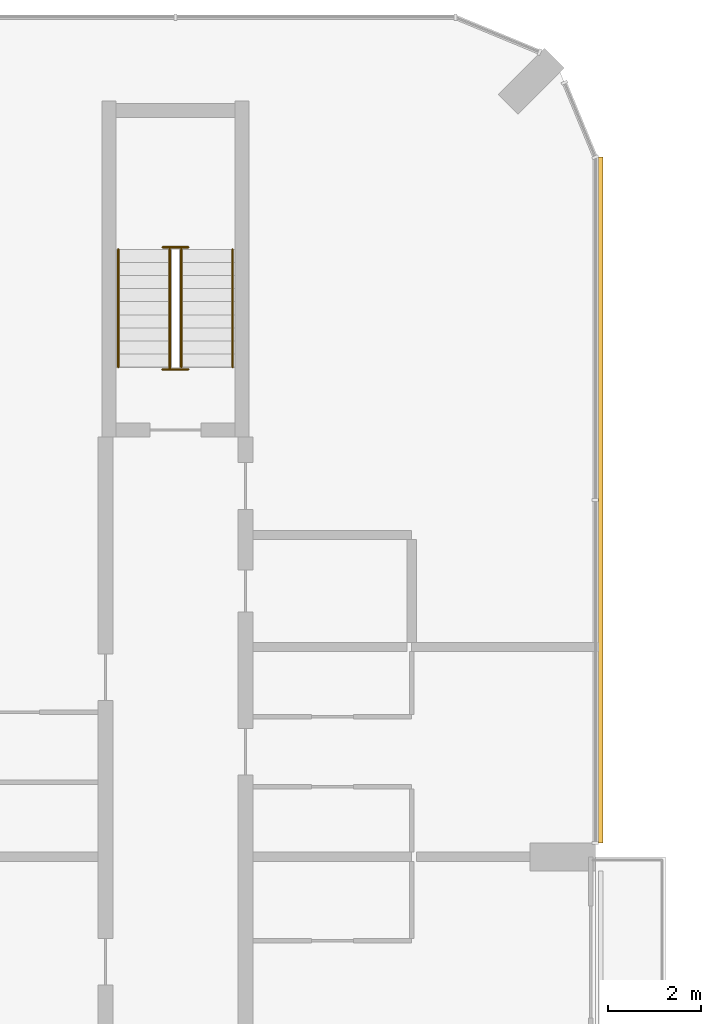
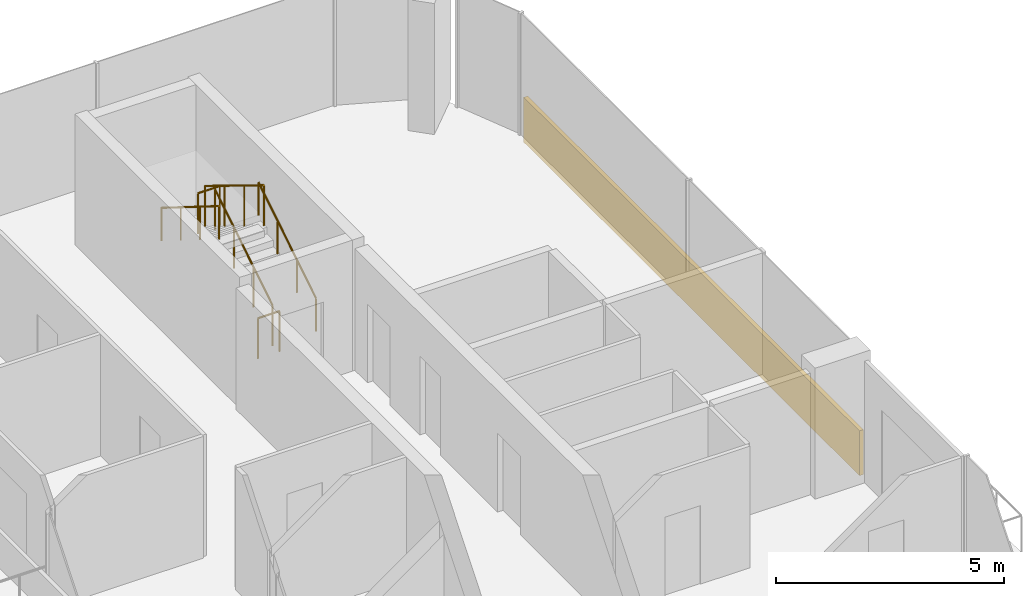
# One storey, part 26 of 27: 6 railings, 1 covering.
"""IFC4 building model written with IfcOpenShell, lengths in metres."""

from ifc_helpers import new_model, si_unit, direction, frame, origin, origin_2d, place, context, subcontext, project, spatial, rectangle, circle, extrude, material, layer, layer_set, type_object, element, save


model = new_model("IFC4")

# Units and contexts
model_context = context("Model", 3, precision=1e-05, world=origin(), true_north=direction((0.0, 1.0)))
body_context = subcontext(model_context, "Body", "Model", "MODEL_VIEW")
ifc_project = project(units=[si_unit("LENGTHUNIT", "METRE"), si_unit("AREAUNIT", "SQUARE_METRE"), si_unit("VOLUMEUNIT", "CUBIC_METRE"), si_unit("PLANEANGLEUNIT", "RADIAN"), si_unit("MASSUNIT", "GRAM", prefix="KILO")], contexts=[model_context])

# Site, building, storey
site_placement = place(None, origin())
site = spatial("IfcSite", under=ifc_project, at=site_placement, CompositionType="ELEMENT")
building_placement = place(site_placement, origin())
building = spatial("IfcBuilding", under=site, at=building_placement, Name="Plateau Cross Towers", CompositionType="ELEMENT")
storey_placement = place(building_placement, frame((0.0, 0.0, 78.300048828125)))
storey = spatial("IfcBuildingStorey", under=building, at=storey_placement, Name="L19", CompositionType="ELEMENT", Elevation=78.300048828125)

# Railings
ifc_material_1 = material(Name="Stainless steel and toughened glass", Category="steel")
railing_type_1 = type_object("IfcRailingType", Name="RL-GUARD-1100", PredefinedType="GUARDRAIL", material=ifc_material_1)
railing_1_placement = place(storey_placement, frame((9.125, 46.5, 0.175048828125)))
element("IfcRailing", 1, at=railing_1_placement, inside=storey, type_object=railing_type_1, Name="L19 ES-N stair guard 1", PredefinedType="GUARDRAIL", context=body_context, shape_type="SweptSolid", body=[
    extrude(circle(Radius=0.02392578125, at=origin_2d()), frame((0.0, 0.0, 1.076171875), z_axis=(0.0, 0.848007534815, 0.529984170421), x_axis=(-1.0, 0.0, 0.0)), (0.0, 0.0, 1.0), 2.9716796875),
    extrude(circle(Radius=0.02099609375, at=origin_2d()), origin(), (0.0, 0.0, 1.0), 1.052001953125),
    extrude(circle(Radius=0.02099609375, at=origin_2d()), frame((0.0, 0.840087890625, 0.52490234375)), (0.0, 0.0, 1.0), 1.052001953125),
    extrude(circle(Radius=0.02099609375, at=origin_2d()), frame((0.0, 1.679931640625, 1.050048828125)), (0.0, 0.0, 1.0), 1.052001953125),
    extrude(circle(Radius=0.02099609375, at=origin_2d()), frame((0.0, 2.52001953125, 1.574951171875)), (0.0, 0.0, 1.0), 1.052001953125),
])
railing_2_placement = place(storey_placement, frame((9.27490234375, 49.070068359375, 1.75)))
element("IfcRailing", 2, at=railing_2_placement, inside=storey, type_object=railing_type_1, Name="L19 ES-N stair guard 2", PredefinedType="GUARDRAIL", context=body_context, shape_type="SweptSolid", body=[
    extrude(circle(Radius=0.02392578125, at=origin_2d()), frame((0.0, 0.0, 1.076171875), z_axis=(-1.0, 0.0, 0.0), x_axis=(0.0, -1.0, 0.0)), (0.0, 0.0, 1.0), 0.5498046875),
    extrude(circle(Radius=0.02099609375, at=origin_2d()), origin(), (0.0, 0.0, 1.0), 1.052001953125),
    extrude(circle(Radius=0.02099609375, at=origin_2d()), frame((-0.5498046875, 0.0, 0.0)), (0.0, 0.0, 1.0), 1.052001953125),
])
railing_3_placement = place(storey_placement, frame((8.875, 49.02001953125, 1.925048828125)))
element("IfcRailing", 3, at=railing_3_placement, inside=storey, type_object=railing_type_1, Name="L19 ES-N stair guard 3", PredefinedType="GUARDRAIL", context=body_context, shape_type="SweptSolid", body=[
    extrude(circle(Radius=0.02392578125, at=origin_2d()), frame((0.0, 0.0, 1.076171875), z_axis=(0.0, -0.852638500773, 0.522501279423), x_axis=(1.0, 0.0, 0.0)), (0.0, 0.0, 1.0), 3.01416015625),
    extrude(circle(Radius=0.02099609375, at=origin_2d()), origin(), (0.0, 0.0, 1.0), 1.052001953125),
    extrude(circle(Radius=0.02099609375, at=origin_2d()), frame((0.0, -0.856689453125, 0.52490234375)), (0.0, 0.0, 1.0), 1.052001953125),
    extrude(circle(Radius=0.02099609375, at=origin_2d()), frame((0.0, -1.71337890625, 1.050048828125)), (0.0, 0.0, 1.0), 1.052001953125),
    extrude(circle(Radius=0.02099609375, at=origin_2d()), frame((0.0, -2.570068359375, 1.574951171875)), (0.0, 0.0, 1.0), 1.052001953125),
])
railing_4_placement = place(storey_placement, frame((9.27490234375, 46.449951171875, 0.0)))
element("IfcRailing", 4, at=railing_4_placement, inside=storey, type_object=railing_type_1, Name="L19 ES-N stair guard 4", PredefinedType="GUARDRAIL", context=body_context, shape_type="SweptSolid", body=[
    extrude(circle(Radius=0.02392578125, at=origin_2d()), frame((0.0, 0.0, 1.076171875), z_axis=(-1.0, 0.0, 0.0), x_axis=(0.0, -1.0, 0.0)), (0.0, 0.0, 1.0), 0.5498046875),
    extrude(circle(Radius=0.02099609375, at=origin_2d()), origin(), (0.0, 0.0, 1.0), 1.052001953125),
    extrude(circle(Radius=0.02099609375, at=origin_2d()), frame((-0.5498046875, 0.0, 0.0)), (0.0, 0.0, 1.0), 1.052001953125),
])
ifc_material_2 = material(Name="Black anodised aluminium", Category="aluminium")
railing_type_2 = type_object("IfcRailingType", Name="RL-HANDRAIL-900", PredefinedType="HANDRAIL", material=ifc_material_2)
railing_5_placement = place(storey_placement, frame((10.22509765625, 46.5, 0.175048828125)))
element("IfcRailing", 5, at=railing_5_placement, inside=storey, type_object=railing_type_2, Name="L19 ES-N stair handrail 1", PredefinedType="HANDRAIL", context=body_context, shape_type="SweptSolid", body=[
    extrude(circle(Radius=0.02392578125, at=origin_2d()), frame((0.0, 0.0, 0.8759765625), z_axis=(0.0, 0.848007534815, 0.529984170421), x_axis=(-1.0, 0.0, 0.0)), (0.0, 0.0, 1.0), 2.9716796875),
    extrude(circle(Radius=0.02099609375, at=origin_2d()), origin(), (0.0, 0.0, 1.0), 0.851806640625),
    extrude(circle(Radius=0.02099609375, at=origin_2d()), frame((0.0, 0.840087890625, 0.52490234375)), (0.0, 0.0, 1.0), 0.851806640625),
    extrude(circle(Radius=0.02099609375, at=origin_2d()), frame((0.0, 1.679931640625, 1.050048828125)), (0.0, 0.0, 1.0), 0.851806640625),
    extrude(circle(Radius=0.02099609375, at=origin_2d()), frame((0.0, 2.52001953125, 1.574951171875)), (0.0, 0.0, 1.0), 0.851806640625),
])
railing_6_placement = place(storey_placement, frame((7.77490234375, 49.02001953125, 1.925048828125)))
element("IfcRailing", 6, at=railing_6_placement, inside=storey, type_object=railing_type_2, Name="L19 ES-N stair handrail 2", PredefinedType="HANDRAIL", context=body_context, shape_type="SweptSolid", body=[
    extrude(circle(Radius=0.02392578125, at=origin_2d()), frame((0.0, 0.0, 0.8759765625), z_axis=(0.0, -0.848007534815, 0.529984170421), x_axis=(1.0, 0.0, 0.0)), (0.0, 0.0, 1.0), 2.9716796875),
    extrude(circle(Radius=0.02099609375, at=origin_2d()), origin(), (0.0, 0.0, 1.0), 0.851806640625),
    extrude(circle(Radius=0.02099609375, at=origin_2d()), frame((0.0, -0.840087890625, 0.52490234375)), (0.0, 0.0, 1.0), 0.851806640625),
    extrude(circle(Radius=0.02099609375, at=origin_2d()), frame((0.0, -1.679931640625, 1.050048828125)), (0.0, 0.0, 1.0), 0.851806640625),
    extrude(circle(Radius=0.02099609375, at=origin_2d()), frame((0.0, -2.52001953125, 1.574951171875)), (0.0, 0.0, 1.0), 0.851806640625),
])

# Covering
ifc_material_3 = material(Name="Precast concrete cladding C40/50", Category="concrete")
ifc_layer = layer(ifc_material_3, 0.10009765625)
ifc_layer_set = layer_set([ifc_layer], Name="Precast concrete cladding C40/50")
covering_type = type_object("IfcCoveringType", Name="Spandrel band cladding 100x1200", PredefinedType="CLADDING", material=ifc_layer_set)
covering_placement = place(storey_placement, frame((18.1201171875, 43.64990234375, -0.25), z_axis=(0.0, 0.0, 1.0), x_axis=(0.0, 1.0, 0.0)))
element("IfcCovering", 7, at=covering_placement, inside=storey, type_object=covering_type, Name="Spandrel band", PredefinedType="CLADDING", context=body_context, shape_type="SweptSolid", body=[
    extrude(rectangle(XDim=14.699951171875, YDim=0.10009765625, at=origin_2d()), origin(), (0.0, 0.0, 1.0), 1.199951171875),
])

save(model, "model.ifc")
